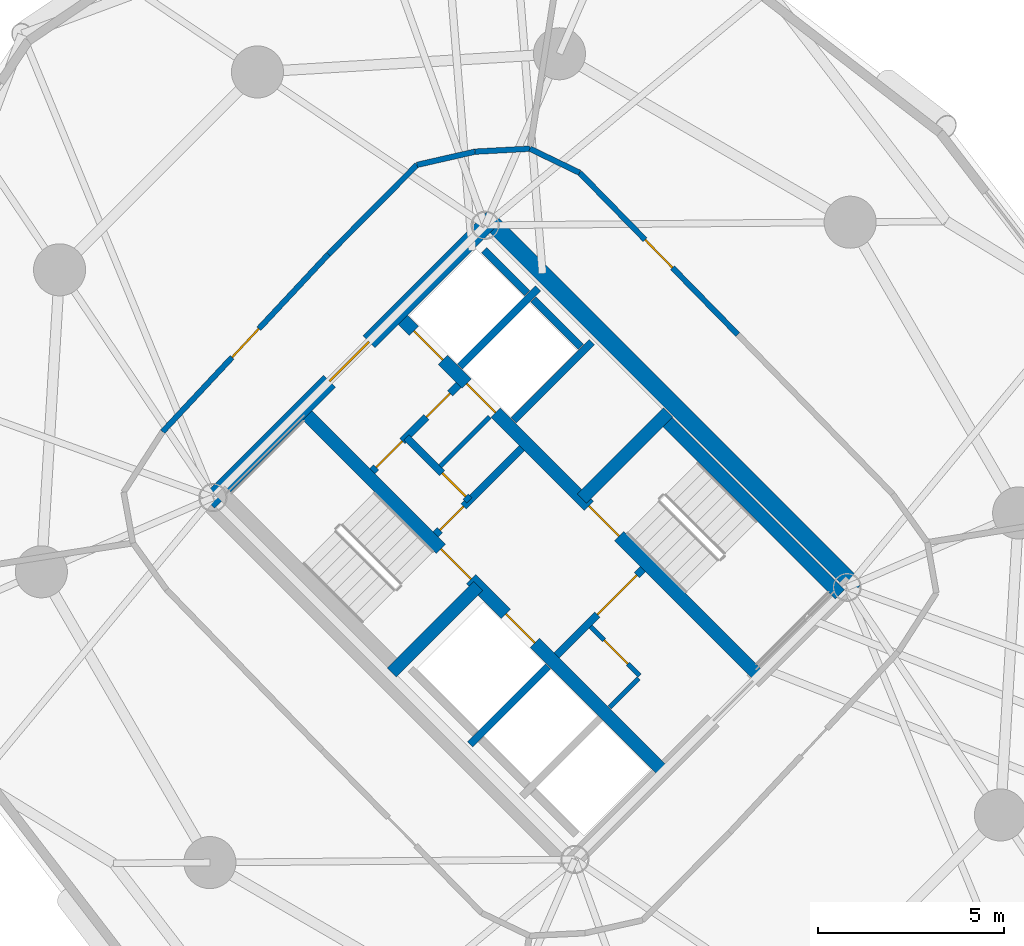
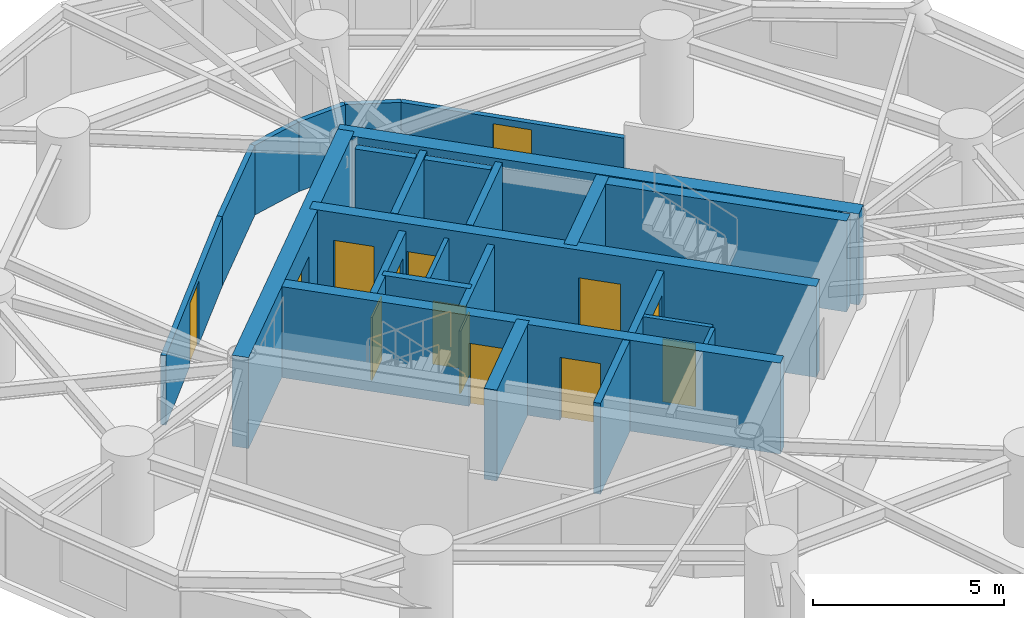
# One storey, part 12 of 16: 25 walls, 14 doors, 14 openings.
"""IFC4 building model written with IfcOpenShell, lengths in metres."""

from ifc_helpers import new_model, si_unit, direction, frame, frame_2d, origin, place, context, subcontext, project, spatial, rectangle, extrude, source, transform, mapped, material, layer, layer_set, type_object, element, fill, save


model = new_model("IFC4")

# Units and contexts
model_context = context("Model", 3, precision=1e-05, world=origin(), true_north=direction((0.0, 1.0)))
body_context = subcontext(model_context, "Body", "Model", "MODEL_VIEW")
ifc_project = project(units=[si_unit("LENGTHUNIT", "METRE"), si_unit("AREAUNIT", "SQUARE_METRE"), si_unit("VOLUMEUNIT", "CUBIC_METRE"), si_unit("PLANEANGLEUNIT", "RADIAN"), si_unit("MASSUNIT", "GRAM", prefix="KILO")], contexts=[model_context])

# Site, building, storey
site_placement = place(None, origin())
site = spatial("IfcSite", under=ifc_project, at=site_placement, CompositionType="ELEMENT")
building_placement = place(site_placement, origin())
building = spatial("IfcBuilding", under=site, at=building_placement, Name="Cununo Teusaquillo Station Towers", CompositionType="ELEMENT")
storey_placement = place(building_placement, frame((0.0, 0.0, 73.06005859375)))
storey = spatial("IfcBuildingStorey", under=building, at=storey_placement, Name="L22", CompositionType="ELEMENT", Elevation=73.06005859375)

# Walls
ifc_material_1 = material(Name="Concrete C50/60", Category="concrete")
ifc_layer_1 = layer(ifc_material_1, 0.199951171875)
ifc_layer_set_1 = layer_set([ifc_layer_1], Name="Concrete C50/60")
wall_type_1 = type_object("IfcWallType", Name="WL-CORE-200", PredefinedType="SHEAR", material=ifc_layer_set_1)
for number, where, z_axis, x_axis, name in (
    (1, (55.8876953125, 19.0693359375, 0.0), (0.0, 0.0, 1.0), (0.707106781187, 0.707106781187, 0.0), "L22 Tower B Firefighting Lift Shaft South Shear Wall"),
    (2, (57.0615234375, 27.781005859375, 0.0), (0.0, 0.0, 1.0), (0.707106781187, 0.707106781187, 0.0), "L22 Tower B Low-Rise Lift Hoistway South Shear Wall"),
):
    element("IfcWall", number, at=place(storey_placement, frame(where, z_axis=z_axis, x_axis=x_axis)), inside=storey, type_object=wall_type_1, Name=name, PredefinedType="SHEAR", context=body_context, shape_type="SweptSolid", body=[
        extrude(rectangle(XDim=2.969970703125, YDim=0.199951171875, at=frame_2d((1.48486328125, 0.0))), origin(), (0.0, 0.0, 1.0), 2.909912109375),
    ])
wall_1_placement = place(storey_placement, frame((55.615478515625, 29.22705078125, 0.0), z_axis=(0.0, 0.0, 1.0), x_axis=(0.707147878904, 0.70706568108, 0.0)))
element("IfcWall", 3, at=wall_1_placement, inside=storey, type_object=wall_type_1, Name="L22 Tower B Low-Rise Lift Hoistway Divider Shear Wall", PredefinedType="SHEAR", context=body_context, shape_type="SweptSolid", body=[
    extrude(rectangle(XDim=2.97021484375, YDim=0.199951171875, at=frame_2d((1.485107421875, 0.0))), origin(), (0.0, 0.0, 1.0), 2.909912109375),
])
wall_2_placement = place(storey_placement, frame((58.86474609375, 29.75390625, 0.0), z_axis=(0.0, 0.0, 1.0), x_axis=(-0.707174411312, 0.707039144592, 0.0)))
element("IfcWall", 4, at=wall_2_placement, inside=storey, type_object=wall_type_1, Name="L22 Tower B Low-Rise Lift 1 Shaft Rear Shear Wall", PredefinedType="SHEAR", context=body_context, shape_type="SweptSolid", body=[
    extrude(rectangle(XDim=1.804931640625, YDim=0.199951171875, at=frame_2d((0.90234375, 0.0))), origin(), (0.0, 0.0, 1.0), 2.909912109375),
])
wall_3_placement = place(storey_placement, frame((57.418701171875, 31.19970703125, 0.0), z_axis=(0.0, 0.0, 1.0), x_axis=(-0.707032117043, 0.707181437447, 0.0)))
element("IfcWall", 5, at=wall_3_placement, inside=storey, type_object=wall_type_1, Name="L22 Tower B Low-Rise Lift 2 Shaft Rear Shear Wall", PredefinedType="SHEAR", context=body_context, shape_type="SweptSolid", body=[
    extrude(rectangle(XDim=1.635009765625, YDim=0.199951171875, at=frame_2d((0.8173828125, 0.0))), origin(), (0.0, 0.0, 1.0), 2.909912109375),
])

# Wall, openings, doors
ifc_material_2 = material(Name="Concrete C50/60", Category="concrete")
ifc_layer_2 = layer(ifc_material_2, 0.35009765625)
ifc_layer_set_2 = layer_set([ifc_layer_2], Name="Concrete C50/60")
wall_type_2 = type_object("IfcWallType", Name="WL-CORE-350", PredefinedType="SHEAR", material=ifc_layer_set_2)
wall_4_placement = place(storey_placement, frame((61.077880859375, 18.355224609375, 0.0), z_axis=(0.0, 0.0, 1.0), x_axis=(-0.707106781187, 0.707106781187, 0.0)))
wall_4 = element("IfcWall", 6, at=wall_4_placement, inside=storey, type_object=wall_type_2, Name="L22 Tower B Core Shear Wall IW", PredefinedType="SHEAR", context=body_context, shape_type="SweptSolid", body=[
    extrude(rectangle(XDim=13.75, YDim=0.35009765625, at=frame_2d((6.875, 0.0))), origin(), (0.0, 0.0, 1.0), 2.909912109375),
])
shared_shape_1 = source(origin(), body_context, "Body", "SweptSolid", [
    extrude(rectangle(XDim=1.10009765625, YDim=2.014892578125, at=frame_2d((0.550048828125, 1.00732421875))), frame((0.0, 0.18505859375, 0.0), z_axis=(0.0, -1.0, 0.0), x_axis=(1.0, 0.0, 0.0)), (0.0, 0.0, 1.0), 0.3701171875),
])
opening_1_placement = place(wall_4_placement, frame((4.875, 0.0, 0.0)))
opening_1 = element("IfcOpeningElement", 7, at=opening_1_placement, cuts=wall_4, Name="Opening LD-01", PredefinedType="OPENING", context=body_context, shape_type="MappedRepresentation", body=[
    mapped(shared_shape_1, transform((0.0, 0.0, 0.0), x_axis=(1.0, 0.0, 0.0), y_axis=(0.0, 1.0, 0.0), z_axis=(0.0, 0.0, 1.0), scale=1.0)),
])
shared_shape_2 = source(origin(), body_context, "Body", "SweptSolid", [
    extrude(rectangle(XDim=1.14990234375, YDim=2.02001953125, at=frame_2d((0.574951171875, 1.010009765625))), frame((0.0, 0.18505859375, 0.0), z_axis=(0.0, -1.0, 0.0), x_axis=(1.0, 0.0, 0.0)), (0.0, 0.0, 1.0), 0.3701171875),
])
opening_2_placement = place(wall_4_placement, frame((7.294921875, 0.0, 0.0)))
opening_2 = element("IfcOpeningElement", 8, at=opening_2_placement, cuts=wall_4, Name="Opening D-ST1", PredefinedType="OPENING", context=body_context, shape_type="MappedRepresentation", body=[
    mapped(shared_shape_2, transform((0.0, 0.0, 0.0), x_axis=(1.0, 0.0, 0.0), y_axis=(0.0, 1.0, 0.0), z_axis=(0.0, 0.0, 1.0), scale=1.0)),
])
ifc_material_3 = material(Name="Galvanised fire-rated hollow steel door assembly", Category="steel")
door_type_1 = type_object("IfcDoorType", Name="DR-LIFT-1100", OperationType="SLIDING_TO_LEFT", PredefinedType="DOOR", material=ifc_material_3)
shared_shape_3 = source(origin(), body_context, "Body", "SweptSolid", [
    extrude(rectangle(XDim=1.10009765625, YDim=2.014892578125, at=frame_2d((0.550048828125, 1.00732421875))), frame((0.0, 0.02490234375, 0.0), z_axis=(0.0, -1.0, 0.0), x_axis=(1.0, 0.0, 0.0)), (0.0, 0.0, 1.0), 0.050048828125),
])
door_1_placement = place(opening_1_placement, origin())
door_1 = element("IfcDoor", 9, at=door_1_placement, inside=storey, type_object=door_type_1, Name="L22 Lift FL-T2 Sliding Landing Door", OperationType="SLIDING_TO_RIGHT", OverallHeight=2.014892578125, OverallWidth=1.10009765625, PredefinedType="DOOR", context=body_context, shape_type="MappedRepresentation", body=[
    mapped(shared_shape_3, transform((0.0, 0.0, 0.0), x_axis=(1.0, 0.0, 0.0), y_axis=(0.0, 1.0, 0.0), z_axis=(0.0, 0.0, 1.0), scale=1.0)),
])
fill(opening_1, door_1)
ifc_material_4 = material(Name="Galvanised fire-rated hollow steel door assembly", Category="steel")
door_type_2 = type_object("IfcDoorType", Name="DR-STAIR-1150", OperationType="NOTDEFINED", PredefinedType="DOOR", material=ifc_material_4)
shared_shape_4 = source(origin(), body_context, "Body", "SweptSolid", [
    extrude(rectangle(XDim=1.14990234375, YDim=2.02001953125, at=frame_2d((0.574951171875, 1.010009765625))), frame((0.0, 0.02490234375, 0.0), z_axis=(0.0, -1.0, 0.0), x_axis=(1.0, 0.0, 0.0)), (0.0, 0.0, 1.0), 0.050048828125),
])
door_2_placement = place(opening_2_placement, origin())
door_2 = element("IfcDoor", 10, at=door_2_placement, inside=storey, type_object=door_type_2, Name="L22 Tower B Exit Stair 1 Fire Door", OperationType="SINGLE_SWING_RIGHT", OverallHeight=2.02001953125, OverallWidth=1.14990234375, PredefinedType="DOOR", context=body_context, shape_type="MappedRepresentation", body=[
    mapped(shared_shape_4, transform((0.0, 0.0, 0.0), x_axis=(1.0, 0.0, 0.0), y_axis=(0.0, 1.0, 0.0), z_axis=(0.0, 0.0, 1.0), scale=1.0)),
])
fill(opening_2, door_2)

wall_5_placement = place(storey_placement, frame((63.644775390625, 20.922119140625, 0.0), z_axis=(0.0, 0.0, 1.0), x_axis=(-0.707106781187, 0.707106781187, 0.0)))
wall_5 = element("IfcWall", 11, at=wall_5_placement, inside=storey, type_object=wall_type_2, Name="L22 Tower B Core Shear Wall IE", PredefinedType="SHEAR", context=body_context, shape_type="SweptSolid", body=[
    extrude(rectangle(XDim=13.75, YDim=0.35009765625, at=frame_2d((6.875, 0.0))), origin(), (0.0, 0.0, 1.0), 2.909912109375),
])
opening_3_placement = place(wall_5_placement, frame((10.0, 0.0, 0.0)))
opening_3 = element("IfcOpeningElement", 12, at=opening_3_placement, cuts=wall_5, Name="Opening LD-01", PredefinedType="OPENING", context=body_context, shape_type="MappedRepresentation", body=[
    mapped(shared_shape_1, transform((0.0, 0.0, 0.0), x_axis=(1.0, 0.0, 0.0), y_axis=(0.0, 1.0, 0.0), z_axis=(0.0, 0.0, 1.0), scale=1.0)),
])
opening_4_placement = place(wall_5_placement, frame((12.0, 0.0, 0.0)))
opening_4 = element("IfcOpeningElement", 13, at=opening_4_placement, cuts=wall_5, Name="Opening LD-01", PredefinedType="OPENING", context=body_context, shape_type="MappedRepresentation", body=[
    mapped(shared_shape_1, transform((0.0, 0.0, 0.0), x_axis=(1.0, 0.0, 0.0), y_axis=(0.0, 1.0, 0.0), z_axis=(0.0, 0.0, 1.0), scale=1.0)),
])
opening_5_placement = place(wall_5_placement, frame((5.304931640625, 0.0, 0.0)))
opening_5 = element("IfcOpeningElement", 14, at=opening_5_placement, cuts=wall_5, Name="Opening D-ST1", PredefinedType="OPENING", context=body_context, shape_type="MappedRepresentation", body=[
    mapped(shared_shape_2, transform((0.0, 0.0, 0.0), x_axis=(1.0, 0.0, 0.0), y_axis=(0.0, 1.0, 0.0), z_axis=(0.0, 0.0, 1.0), scale=1.0)),
])
door_3_placement = place(opening_3_placement, origin())
door_3 = element("IfcDoor", 15, at=door_3_placement, inside=storey, type_object=door_type_1, Name="L22 Lift PL-T2-L1 Sliding Landing Door", OperationType="SLIDING_TO_RIGHT", OverallHeight=2.014892578125, OverallWidth=1.10009765625, PredefinedType="DOOR", context=body_context, shape_type="MappedRepresentation", body=[
    mapped(shared_shape_3, transform((0.0, 0.0, 0.0), x_axis=(1.0, 0.0, 0.0), y_axis=(0.0, 1.0, 0.0), z_axis=(0.0, 0.0, 1.0), scale=1.0)),
])
fill(opening_3, door_3)
door_4_placement = place(opening_4_placement, origin())
door_4 = element("IfcDoor", 16, at=door_4_placement, inside=storey, type_object=door_type_1, Name="L22 Lift PL-T2-L2 Sliding Landing Door", OperationType="SLIDING_TO_LEFT", OverallHeight=2.014892578125, OverallWidth=1.10009765625, PredefinedType="DOOR", context=body_context, shape_type="MappedRepresentation", body=[
    mapped(shared_shape_3, transform((0.0, 0.0, 0.0), x_axis=(1.0, 0.0, 0.0), y_axis=(0.0, 1.0, 0.0), z_axis=(0.0, 0.0, 1.0), scale=1.0)),
])
fill(opening_4, door_4)
door_5_placement = place(opening_5_placement, origin())
door_5 = element("IfcDoor", 17, at=door_5_placement, inside=storey, type_object=door_type_2, Name="L22 Tower B Exit Stair 2 Fire Door", OperationType="SINGLE_SWING_LEFT", OverallHeight=2.02001953125, OverallWidth=1.14990234375, PredefinedType="DOOR", context=body_context, shape_type="MappedRepresentation", body=[
    mapped(shared_shape_4, transform((0.0, 0.0, 0.0), x_axis=(1.0, 0.0, 0.0), y_axis=(0.0, 1.0, 0.0), z_axis=(0.0, 0.0, 1.0), scale=1.0)),
])
fill(opening_5, door_5)

# Walls
wall_6_placement = place(storey_placement, frame((53.7841796875, 21.00341796875, 0.0), z_axis=(0.0, 0.0, 1.0), x_axis=(0.707106781187, 0.707106781187, 0.0)))
element("IfcWall", 18, at=wall_6_placement, inside=storey, type_object=wall_type_2, Name="L22 Tower B Core Shear Wall ST1S", PredefinedType="SHEAR", context=body_context, shape_type="SweptSolid", body=[
    extrude(rectangle(XDim=3.284912109375, YDim=0.35009765625, at=frame_2d((1.642578125, 0.0))), origin(), (0.0, 0.0, 1.0), 2.909912109375),
])
wall_7_placement = place(storey_placement, frame((65.82958984375, 23.10693359375, 0.0), z_axis=(0.0, 0.0, 1.0), x_axis=(-0.707088616009, 0.707124945897, 0.0)))
element("IfcWall", 19, at=wall_7_placement, inside=storey, type_object=wall_type_2, Name="L22 Tower B Core Shear Wall ST2E", PredefinedType="SHEAR", context=body_context, shape_type="SweptSolid", body=[
    extrude(rectangle(XDim=6.72021484375, YDim=0.35009765625, at=frame_2d((3.360107421875, 0.0))), origin(), (0.0, 0.0, 1.0), 2.909912109375),
])
wall_8_placement = place(storey_placement, frame((58.89306640625, 25.673828125, 0.0), z_axis=(0.0, 0.0, 1.0), x_axis=(0.707106781187, 0.707106781187, 0.0)))
element("IfcWall", 20, at=wall_8_placement, inside=storey, type_object=wall_type_2, Name="L22 Tower B Core Shear Wall ST2N", PredefinedType="SHEAR", context=body_context, shape_type="SweptSolid", body=[
    extrude(rectangle(XDim=3.284912109375, YDim=0.35009765625, at=frame_2d((1.642578125, 0.0))), origin(), (0.0, 0.0, 1.0), 2.909912109375),
])
ifc_material_5 = material(Name="Concrete C60/75", Category="concrete")
ifc_layer_3 = layer(ifc_material_5, 0.449951171875)
ifc_layer_set_3 = layer_set([ifc_layer_3], Name="Concrete C60/75")
wall_type_3 = type_object("IfcWallType", Name="WL-CORE-450", PredefinedType="SHEAR", material=ifc_layer_set_3)
wall_9_placement = place(storey_placement, frame((66.303466796875, 23.2626953125, 0.0), z_axis=(0.0, 0.0, 1.0), x_axis=(-0.707106781187, 0.707106781187, 0.0)))
element("IfcWall", 21, at=wall_9_placement, inside=storey, type_object=wall_type_3, Name="L22 Tower B Core Shear Wall E", PredefinedType="SHEAR", context=body_context, shape_type="SweptSolid", body=[
    extrude(rectangle(XDim=14.19970703125, YDim=0.449951171875, at=frame_2d((7.099853515625, 0.0))), origin(), (0.0, 0.0, 1.0), 2.909912109375),
])

# Wall, opening, door
wall_10_placement = place(storey_placement, frame((48.855712890625, 25.578369140625, 0.0), z_axis=(0.0, 0.0, 1.0), x_axis=(0.707106781187, 0.707106781187, 0.0)))
wall_10 = element("IfcWall", 22, at=wall_10_placement, inside=storey, type_object=wall_type_3, Name="L22 Tower B Core Shear Wall N", PredefinedType="SHEAR", context=body_context, shape_type="SweptSolid", body=[
    extrude(rectangle(XDim=10.69970703125, YDim=0.449951171875, at=frame_2d((5.349853515625, 0.0))), origin(), (0.0, 0.0, 1.0), 2.909912109375),
])
shared_shape_5 = source(origin(), body_context, "Body", "SweptSolid", [
    extrude(rectangle(XDim=1.5, YDim=2.02001953125, at=frame_2d((0.75, 1.010009765625))), frame((0.0, 0.23486328125, 0.0), z_axis=(0.0, -1.0, 0.0), x_axis=(1.0, 0.0, 0.0)), (0.0, 0.0, 1.0), 0.469970703125),
])
opening_6_placement = place(wall_10_placement, frame((4.60009765625, 0.0, 0.0)))
opening_6 = element("IfcOpeningElement", 23, at=opening_6_placement, cuts=wall_10, Name="Opening D-LB1", PredefinedType="OPENING", context=body_context, shape_type="MappedRepresentation", body=[
    mapped(shared_shape_5, transform((0.0, 0.0, 0.0), x_axis=(1.0, 0.0, 0.0), y_axis=(0.0, 1.0, 0.0), z_axis=(0.0, 0.0, 1.0), scale=1.0)),
])
ifc_material_6 = material(Name="Galvanised fire-rated hollow steel door assembly", Category="steel")
door_type_3 = type_object("IfcDoorType", Name="DR-LOBBY-1500", OperationType="DOUBLE_DOOR_SINGLE_SWING", PredefinedType="DOOR", material=ifc_material_6)
shared_shape_6 = source(origin(), body_context, "Body", "SweptSolid", [
    extrude(rectangle(XDim=1.5, YDim=2.02001953125, at=frame_2d((0.75, 1.010009765625))), frame((0.0, 0.02490234375, 0.0), z_axis=(0.0, -1.0, 0.0), x_axis=(1.0, 0.0, 0.0)), (0.0, 0.0, 1.0), 0.050048828125),
])
door_6_placement = place(opening_6_placement, origin())
door_6 = element("IfcDoor", 24, at=door_6_placement, inside=storey, type_object=door_type_3, Name="L22 Tower B North Core Lift Lobby Door", OperationType="DOUBLE_DOOR_SINGLE_SWING", OverallHeight=2.02001953125, OverallWidth=1.5, PredefinedType="DOOR", context=body_context, shape_type="MappedRepresentation", body=[
    mapped(shared_shape_6, transform((0.0, 0.0, 0.0), x_axis=(1.0, 0.0, 0.0), y_axis=(0.0, 1.0, 0.0), z_axis=(0.0, 0.0, 1.0), scale=1.0)),
])
fill(opening_6, door_6)

ifc_material_7 = material(Name="Fire-rated gypsum plasterboard partition assembly", Category="gypsum")
ifc_layer_4 = layer(ifc_material_7, 0.125)
ifc_layer_set_4 = layer_set([ifc_layer_4], Name="Fire-rated gypsum plasterboard partition assembly")
wall_type_4 = type_object("IfcWallType", Name="WL-PART-125", PredefinedType="PARTITIONING", material=ifc_layer_set_4)
wall_11_placement = place(storey_placement, frame((60.448486328125, 20.9150390625, 0.0), z_axis=(0.0, 0.0, 1.0), x_axis=(-0.707106781187, 0.707106781187, 0.0)))
wall_11 = element("IfcWall", 25, at=wall_11_placement, inside=storey, type_object=wall_type_4, Name="L22 Tower B North-West Lobby Store East Wall", PredefinedType="PARTITIONING", context=body_context, shape_type="SweptSolid", body=[
    extrude(rectangle(XDim=1.869873046875, YDim=0.125, at=frame_2d((0.93505859375, 0.0))), origin(), (0.0, 0.0, 1.0), 2.655029296875),
])
shared_shape_7 = source(origin(), body_context, "Body", "SweptSolid", [
    extrude(rectangle(XDim=0.89990234375, YDim=2.0048828125, at=frame_2d((0.449951171875, 1.00244140625))), frame((0.0, 0.072509765625, 0.0), z_axis=(0.0, -1.0, 0.0), x_axis=(1.0, 0.0, 0.0)), (0.0, 0.0, 1.0), 0.14501953125),
])
opening_7_placement = place(wall_11_placement, frame((0.449951171875, 0.0, 0.0)))
opening_7 = element("IfcOpeningElement", 26, at=opening_7_placement, cuts=wall_11, Name="Opening D-SR1", PredefinedType="OPENING", context=body_context, shape_type="MappedRepresentation", body=[
    mapped(shared_shape_7, transform((0.0, 0.0, 0.0), x_axis=(1.0, 0.0, 0.0), y_axis=(0.0, 1.0, 0.0), z_axis=(0.0, 0.0, 1.0), scale=1.0)),
])
ifc_material_8 = material(Name="Galvanised fire-rated hollow steel door assembly", Category="steel")
door_type_4 = type_object("IfcDoorType", Name="DR-STORE-900", OperationType="NOTDEFINED", PredefinedType="DOOR", material=ifc_material_8)
shared_shape_8 = source(origin(), body_context, "Body", "SweptSolid", [
    extrude(rectangle(XDim=0.89990234375, YDim=2.0048828125, at=frame_2d((0.449951171875, 1.00244140625))), frame((0.0, 0.02490234375, 0.0), z_axis=(0.0, -1.0, 0.0), x_axis=(1.0, 0.0, 0.0)), (0.0, 0.0, 1.0), 0.050048828125),
])
door_7_placement = place(opening_7_placement, origin())
door_7 = element("IfcDoor", 27, at=door_7_placement, inside=storey, type_object=door_type_4, Name="L22 Tower B South Lobby Data Store Door", OperationType="SINGLE_SWING_RIGHT", OverallHeight=2.0048828125, OverallWidth=0.89990234375, PredefinedType="DOOR", context=body_context, shape_type="MappedRepresentation", body=[
    mapped(shared_shape_8, transform((0.0, 0.0, 0.0), x_axis=(1.0, 0.0, 0.0), y_axis=(0.0, 1.0, 0.0), z_axis=(0.0, 0.0, 1.0), scale=1.0)),
])
fill(opening_7, door_7)

# Walls
wall_12_placement = place(storey_placement, frame((59.642578125, 20.06640625, 0.0), z_axis=(0.0, 0.0, 1.0), x_axis=(0.707106781187, 0.707106781187, 0.0)))
element("IfcWall", 28, at=wall_12_placement, inside=storey, type_object=wall_type_4, Name="L22 Tower B North-West Lobby Store South Wall", PredefinedType="PARTITIONING", context=body_context, shape_type="SweptSolid", body=[
    extrude(rectangle(XDim=1.10009765625, YDim=0.125, at=frame_2d((0.550048828125, 0.0))), origin(), (0.0, 0.0, 1.0), 2.655029296875),
])
wall_13_placement = place(storey_placement, frame((55.0888671875, 26.54345703125, 0.0), z_axis=(0.0, 0.0, 1.0), x_axis=(0.707106781187, 0.707106781187, 0.0)))
element("IfcWall", 29, at=wall_13_placement, inside=storey, type_object=wall_type_4, Name="L22 Tower B Core Horizontal Split Wall", PredefinedType="PARTITIONING", context=body_context, shape_type="SweptSolid", body=[
    extrude(rectangle(XDim=1.8798828125, YDim=0.125, at=frame_2d((0.93994140625, 0.0))), origin(), (0.0, 0.0, 1.0), 2.655029296875),
])

# Wall, opening, door
ifc_material_9 = material(Name="Fire-rated gypsum plasterboard partition assembly", Category="gypsum")
ifc_layer_5 = layer(ifc_material_9, 0.14990234375)
ifc_layer_set_5 = layer_set([ifc_layer_5], Name="Fire-rated gypsum plasterboard partition assembly")
wall_type_5 = type_object("IfcWallType", Name="WL-PART-150", PredefinedType="PARTITIONING", material=ifc_layer_set_5)
wall_14_placement = place(storey_placement, frame((63.086181640625, 30.086181640625, 0.0), z_axis=(0.0, 0.0, 1.0), x_axis=(-0.699032802832, 0.715089603172, 0.0)))
wall_14 = element("IfcWall", 30, at=wall_14_placement, inside=storey, type_object=wall_type_5, Name="L22 Tower B Corridor Ring Wall C00", PredefinedType="PARTITIONING", context=body_context, shape_type="SweptSolid", body=[
    extrude(rectangle(XDim=6.08203125, YDim=0.14990234375, at=frame_2d((3.041015625, 0.0))), origin(), (0.0, 0.0, 1.0), 2.224853515625),
])
shared_shape_9 = source(origin(), body_context, "Body", "SweptSolid", [
    extrude(rectangle(XDim=1.050048828125, YDim=2.014892578125, at=frame_2d((0.52490234375, 1.00732421875))), frame((0.0, 0.0849609375, 0.0), z_axis=(0.0, -1.0, 0.0), x_axis=(1.0, 0.0, 0.0)), (0.0, 0.0, 1.0), 0.169921875),
])
opening_8_placement = place(wall_14_placement, frame((2.51611328125, 0.0, 0.0)))
opening_8 = element("IfcOpeningElement", 31, at=opening_8_placement, cuts=wall_14, Name="Opening D-SU1", PredefinedType="OPENING", context=body_context, shape_type="MappedRepresentation", body=[
    mapped(shared_shape_9, transform((0.0, 0.0, 0.0), x_axis=(1.0, 0.0, 0.0), y_axis=(0.0, 1.0, 0.0), z_axis=(0.0, 0.0, 1.0), scale=1.0)),
])
ifc_material_10 = material(Name="Acoustic solid-core hardwood leaf assembly", Category="wood")
door_type_5 = type_object("IfcDoorType", Name="DR-SUITE-1050", OperationType="NOTDEFINED", PredefinedType="DOOR", material=ifc_material_10)
shared_shape_10 = source(origin(), body_context, "Body", "SweptSolid", [
    extrude(rectangle(XDim=1.050048828125, YDim=2.014892578125, at=frame_2d((0.52490234375, 1.00732421875))), frame((0.0, 0.02490234375, 0.0), z_axis=(0.0, -1.0, 0.0), x_axis=(1.0, 0.0, 0.0)), (0.0, 0.0, 1.0), 0.050048828125),
])
door_8_placement = place(opening_8_placement, origin())
door_8 = element("IfcDoor", 32, at=door_8_placement, inside=storey, type_object=door_type_5, Name="L22 Tower B North Open-Plan Corporate Landscape Office Entrance Door", OperationType="SINGLE_SWING_RIGHT", OverallHeight=2.014892578125, OverallWidth=1.050048828125, PredefinedType="DOOR", context=body_context, shape_type="MappedRepresentation", body=[
    mapped(shared_shape_10, transform((0.0, 0.0, 0.0), x_axis=(1.0, 0.0, 0.0), y_axis=(0.0, 1.0, 0.0), z_axis=(0.0, 0.0, 1.0), scale=1.0)),
])
fill(opening_8, door_8)

# Walls
wall_15_placement = place(storey_placement, frame((58.834716796875, 34.435302734375, 0.0), z_axis=(0.0, 0.0, 1.0), x_axis=(-0.900352167336, 0.4351620098, 0.0)))
element("IfcWall", 33, at=wall_15_placement, inside=storey, type_object=wall_type_5, Name="L22 Tower B Corridor Ring Wall C01", PredefinedType="PARTITIONING", context=body_context, shape_type="SweptSolid", body=[
    extrude(rectangle(XDim=1.48779296875, YDim=0.14990234375, at=frame_2d((0.743896484375, 0.0))), origin(), (0.0, 0.0, 1.0), 2.224853515625),
])
wall_16_placement = place(storey_placement, frame((57.4951171875, 35.082763671875, 0.0), z_axis=(0.0, 0.0, 1.0), x_axis=(-0.998536503254, -0.054081897798, 0.0)))
element("IfcWall", 34, at=wall_16_placement, inside=storey, type_object=wall_type_5, Name="L22 Tower B Corridor Ring Wall C02", PredefinedType="PARTITIONING", context=body_context, shape_type="SweptSolid", body=[
    extrude(rectangle(XDim=1.480712890625, YDim=0.14990234375, at=frame_2d((0.740234375, 0.0))), origin(), (0.0, 0.0, 1.0), 2.224853515625),
])
wall_17_placement = place(storey_placement, frame((56.0166015625, 35.002685546875, 0.0), z_axis=(0.0, 0.0, 1.0), x_axis=(-0.974924954781, -0.222533890777, 0.0)))
element("IfcWall", 35, at=wall_17_placement, inside=storey, type_object=wall_type_5, Name="L22 Tower B Corridor Ring Wall C03", PredefinedType="PARTITIONING", context=body_context, shape_type="SweptSolid", body=[
    extrude(rectangle(XDim=1.59521484375, YDim=0.14990234375, at=frame_2d((0.797607421875, 0.0))), origin(), (0.0, 0.0, 1.0), 2.224853515625),
])
wall_18_placement = place(storey_placement, frame((54.46142578125, 34.647705078125, 0.0), z_axis=(0.0, 0.0, 1.0), x_axis=(-0.70403409755, -0.710166170334, 0.0)))
element("IfcWall", 36, at=wall_18_placement, inside=storey, type_object=wall_type_5, Name="L22 Tower B Corridor Ring Wall C04", PredefinedType="PARTITIONING", context=body_context, shape_type="SweptSolid", body=[
    extrude(rectangle(XDim=3.38427734375, YDim=0.14990234375, at=frame_2d((1.692138671875, 0.0))), origin(), (0.0, 0.0, 1.0), 2.224853515625),
])

# Wall, opening, door
wall_19_placement = place(storey_placement, frame((52.078857421875, 32.244384765625, 0.0), z_axis=(0.0, 0.0, 1.0), x_axis=(-0.682703325574, -0.730695674854, 0.0)))
wall_19 = element("IfcWall", 37, at=wall_19_placement, inside=storey, type_object=wall_type_5, Name="L22 Tower B Corridor Ring Wall C05", PredefinedType="PARTITIONING", context=body_context, shape_type="SweptSolid", body=[
    extrude(rectangle(XDim=6.526611328125, YDim=0.14990234375, at=frame_2d((3.26318359375, 0.0))), origin(), (0.0, 0.0, 1.0), 2.224853515625),
])
opening_9_placement = place(wall_19_placement, frame((2.73828125, 0.0, 0.0)))
opening_9 = element("IfcOpeningElement", 38, at=opening_9_placement, cuts=wall_19, Name="Opening D-SU1", PredefinedType="OPENING", context=body_context, shape_type="MappedRepresentation", body=[
    mapped(shared_shape_9, transform((0.0, 0.0, 0.0), x_axis=(1.0, 0.0, 0.0), y_axis=(0.0, 1.0, 0.0), z_axis=(0.0, 0.0, 1.0), scale=1.0)),
])
door_9_placement = place(opening_9_placement, origin())
door_9 = element("IfcDoor", 39, at=door_9_placement, inside=storey, type_object=door_type_5, Name="L22 Tower B West Project Collaboration Hub Entrance Door", OperationType="SINGLE_SWING_LEFT", OverallHeight=2.014892578125, OverallWidth=1.050048828125, PredefinedType="DOOR", context=body_context, shape_type="MappedRepresentation", body=[
    mapped(shared_shape_10, transform((0.0, 0.0, 0.0), x_axis=(1.0, 0.0, 0.0), y_axis=(0.0, 1.0, 0.0), z_axis=(0.0, 0.0, 1.0), scale=1.0)),
])
fill(opening_9, door_9)

ifc_material_11 = material(Name="Fire-rated gypsum plasterboard partition assembly", Category="gypsum")
ifc_layer_6 = layer(ifc_material_11, 0.199951171875)
ifc_layer_set_6 = layer_set([ifc_layer_6], Name="Fire-rated gypsum plasterboard partition assembly")
wall_type_6 = type_object("IfcWallType", Name="WL-PART-200", PredefinedType="PARTITIONING", material=ifc_layer_set_6)
wall_20_placement = place(storey_placement, frame((58.214111328125, 21.466552734375, 0.0), z_axis=(0.0, 0.0, 1.0), x_axis=(0.707106781187, 0.707106781187, 0.0)))
wall_20 = element("IfcWall", 40, at=wall_20_placement, inside=storey, type_object=wall_type_6, Name="L22 Tower B Firefighting Lift Lobby South Fire Wall", PredefinedType="PARTITIONING", context=body_context, shape_type="SweptSolid", body=[
    extrude(rectangle(XDim=3.280029296875, YDim=0.199951171875, at=frame_2d((1.64013671875, 0.0))), origin(), (0.0, 0.0, 1.0), 2.655029296875),
])
shared_shape_11 = source(origin(), body_context, "Body", "SweptSolid", [
    extrude(rectangle(XDim=1.5, YDim=2.02001953125, at=frame_2d((0.75, 1.010009765625))), frame((0.0, 0.10986328125, 0.0), z_axis=(0.0, -1.0, 0.0), x_axis=(1.0, 0.0, 0.0)), (0.0, 0.0, 1.0), 0.219970703125),
])
opening_10_placement = place(wall_20_placement, frame((1.550048828125, 0.0, 0.0)))
opening_10 = element("IfcOpeningElement", 41, at=opening_10_placement, cuts=wall_20, Name="Opening D-LB1", PredefinedType="OPENING", context=body_context, shape_type="MappedRepresentation", body=[
    mapped(shared_shape_11, transform((0.0, 0.0, 0.0), x_axis=(1.0, 0.0, 0.0), y_axis=(0.0, 1.0, 0.0), z_axis=(0.0, 0.0, 1.0), scale=1.0)),
])
door_10_placement = place(opening_10_placement, origin())
door_10 = element("IfcDoor", 42, at=door_10_placement, inside=storey, type_object=door_type_3, Name="L22 Tower B Firefighting Lift Lobby South Fire Door", OperationType="DOUBLE_DOOR_SINGLE_SWING", OverallHeight=2.02001953125, OverallWidth=1.5, PredefinedType="DOOR", context=body_context, shape_type="MappedRepresentation", body=[
    mapped(shared_shape_6, transform((0.0, 0.0, 0.0), x_axis=(1.0, 0.0, 0.0), y_axis=(0.0, 1.0, 0.0), z_axis=(0.0, 0.0, 1.0), scale=1.0)),
])
fill(opening_10, door_10)

wall_21_placement = place(storey_placement, frame((54.96142578125, 24.71923828125, 0.0), z_axis=(0.0, 0.0, 1.0), x_axis=(0.707106781187, 0.707106781187, 0.0)))
wall_21 = element("IfcWall", 43, at=wall_21_placement, inside=storey, type_object=wall_type_6, Name="L22 Tower B Firefighting Lift Lobby North Fire Wall", PredefinedType="PARTITIONING", context=body_context, shape_type="SweptSolid", body=[
    extrude(rectangle(XDim=3.280029296875, YDim=0.199951171875, at=frame_2d((1.64013671875, 0.0))), origin(), (0.0, 0.0, 1.0), 2.655029296875),
])
shared_shape_12 = source(origin(), body_context, "Body", "SweptSolid", [
    extrude(rectangle(XDim=0.89990234375, YDim=2.0048828125, at=frame_2d((0.449951171875, 1.00244140625))), frame((0.0, 0.10986328125, 0.0), z_axis=(0.0, -1.0, 0.0), x_axis=(1.0, 0.0, 0.0)), (0.0, 0.0, 1.0), 0.219970703125),
])
opening_11_placement = place(wall_21_placement, frame((0.159912109375, 0.0, 0.0)))
opening_11 = element("IfcOpeningElement", 44, at=opening_11_placement, cuts=wall_21, Name="Opening D-SR1", PredefinedType="OPENING", context=body_context, shape_type="MappedRepresentation", body=[
    mapped(shared_shape_12, transform((0.0, 0.0, 0.0), x_axis=(1.0, 0.0, 0.0), y_axis=(0.0, 1.0, 0.0), z_axis=(0.0, 0.0, 1.0), scale=1.0)),
])
door_11_placement = place(opening_11_placement, origin())
door_11 = element("IfcDoor", 45, at=door_11_placement, inside=storey, type_object=door_type_4, Name="L22 Tower B Stair 1 Protected Vestibule South Door", OperationType="SINGLE_SWING_RIGHT", OverallHeight=2.0048828125, OverallWidth=0.89990234375, PredefinedType="DOOR", context=body_context, shape_type="MappedRepresentation", body=[
    mapped(shared_shape_8, transform((0.0, 0.0, 0.0), x_axis=(1.0, 0.0, 0.0), y_axis=(0.0, 1.0, 0.0), z_axis=(0.0, 0.0, 1.0), scale=1.0)),
])
fill(opening_11, door_11)

wall_22_placement = place(storey_placement, frame((55.873779296875, 25.63134765625, 0.0), z_axis=(0.0, 0.0, 1.0), x_axis=(-0.707157639372, 0.707055919343, 0.0)))
wall_22 = element("IfcWall", 46, at=wall_22_placement, inside=storey, type_object=wall_type_6, Name="L22 Tower B Stair 1 Vestibule Partition Wall", PredefinedType="PARTITIONING", context=body_context, shape_type="SweptSolid", body=[
    extrude(rectangle(XDim=2.400146484375, YDim=0.199951171875, at=frame_2d((1.2001953125, 0.0))), origin(), (0.0, 0.0, 1.0), 2.655029296875),
])
opening_12_placement = place(wall_22_placement, frame((0.139892578125, 0.0, 0.0)))
opening_12 = element("IfcOpeningElement", 47, at=opening_12_placement, cuts=wall_22, Name="Opening D-SR1", PredefinedType="OPENING", context=body_context, shape_type="MappedRepresentation", body=[
    mapped(shared_shape_12, transform((0.0, 0.0, 0.0), x_axis=(1.0, 0.0, 0.0), y_axis=(0.0, 1.0, 0.0), z_axis=(0.0, 0.0, 1.0), scale=1.0)),
])
door_12_placement = place(opening_12_placement, origin())
door_12 = element("IfcDoor", 48, at=door_12_placement, inside=storey, type_object=door_type_4, Name="L22 Tower B Core Linen Store Door", OperationType="SINGLE_SWING_LEFT", OverallHeight=2.0048828125, OverallWidth=0.89990234375, PredefinedType="DOOR", context=body_context, shape_type="MappedRepresentation", body=[
    mapped(shared_shape_8, transform((0.0, 0.0, 0.0), x_axis=(1.0, 0.0, 0.0), y_axis=(0.0, 1.0, 0.0), z_axis=(0.0, 0.0, 1.0), scale=1.0)),
])
fill(opening_12, door_12)

# Wall, openings, doors
wall_23_placement = place(storey_placement, frame((53.264404296875, 26.416259765625, 0.0), z_axis=(0.0, 0.0, 1.0), x_axis=(0.707106781187, 0.707106781187, 0.0)))
wall_23 = element("IfcWall", 49, at=wall_23_placement, inside=storey, type_object=wall_type_6, Name="L22 Tower B North Lift Lobby South Fire Wall", PredefinedType="PARTITIONING", context=body_context, shape_type="SweptSolid", body=[
    extrude(rectangle(XDim=3.280029296875, YDim=0.199951171875, at=frame_2d((1.64013671875, 0.0))), origin(), (0.0, 0.0, 1.0), 2.655029296875),
])
shared_shape_13 = source(origin(), body_context, "Body", "SweptSolid", [
    extrude(rectangle(XDim=1.0, YDim=2.014892578125, at=frame_2d((0.5, 1.00732421875))), frame((0.0, 0.10986328125, 0.0), z_axis=(0.0, -1.0, 0.0), x_axis=(1.0, 0.0, 0.0)), (0.0, 0.0, 1.0), 0.219970703125),
])
opening_13_placement = place(wall_23_placement, frame((0.139892578125, 0.0, 0.0)))
opening_13 = element("IfcOpeningElement", 50, at=opening_13_placement, cuts=wall_23, Name="Opening D-AC1", PredefinedType="OPENING", context=body_context, shape_type="MappedRepresentation", body=[
    mapped(shared_shape_13, transform((0.0, 0.0, 0.0), x_axis=(1.0, 0.0, 0.0), y_axis=(0.0, 1.0, 0.0), z_axis=(0.0, 0.0, 1.0), scale=1.0)),
])
opening_14_placement = place(wall_23_placement, frame((2.050048828125, 0.0, 0.0)))
opening_14 = element("IfcOpeningElement", 51, at=opening_14_placement, cuts=wall_23, Name="Opening D-SR1", PredefinedType="OPENING", context=body_context, shape_type="MappedRepresentation", body=[
    mapped(shared_shape_12, transform((0.0, 0.0, 0.0), x_axis=(1.0, 0.0, 0.0), y_axis=(0.0, 1.0, 0.0), z_axis=(0.0, 0.0, 1.0), scale=1.0)),
])
door_13_placement = place(opening_14_placement, origin())
door_13 = element("IfcDoor", 52, at=door_13_placement, inside=storey, type_object=door_type_4, Name="L22 Tower B Core Comms Room Door", OperationType="SINGLE_SWING_RIGHT", OverallHeight=2.0048828125, OverallWidth=0.89990234375, PredefinedType="DOOR", context=body_context, shape_type="MappedRepresentation", body=[
    mapped(shared_shape_8, transform((0.0, 0.0, 0.0), x_axis=(1.0, 0.0, 0.0), y_axis=(0.0, 1.0, 0.0), z_axis=(0.0, 0.0, 1.0), scale=1.0)),
])
fill(opening_14, door_13)
ifc_material_12 = material(Name="Acoustic solid-core hardwood leaf assembly", Category="wood")
door_type_6 = type_object("IfcDoorType", Name="DR-ACC-1000", OperationType="NOTDEFINED", PredefinedType="DOOR", material=ifc_material_12)
shared_shape_14 = source(origin(), body_context, "Body", "SweptSolid", [
    extrude(rectangle(XDim=1.0, YDim=2.014892578125, at=frame_2d((0.5, 1.00732421875))), frame((0.0, 0.02490234375, 0.0), z_axis=(0.0, -1.0, 0.0), x_axis=(1.0, 0.0, 0.0)), (0.0, 0.0, 1.0), 0.050048828125),
])
door_14_placement = place(opening_13_placement, origin())
door_14 = element("IfcDoor", 53, at=door_14_placement, inside=storey, type_object=door_type_6, Name="L22 Tower B North Lift Lobby to Stair 1 Vestibule Door", OperationType="SINGLE_SWING_LEFT", OverallHeight=2.014892578125, OverallWidth=1.0, PredefinedType="DOOR", context=body_context, shape_type="MappedRepresentation", body=[
    mapped(shared_shape_14, transform((0.0, 0.0, 0.0), x_axis=(1.0, 0.0, 0.0), y_axis=(0.0, 1.0, 0.0), z_axis=(0.0, 0.0, 1.0), scale=1.0)),
])
fill(opening_13, door_14)

save(model, "model.ifc")
